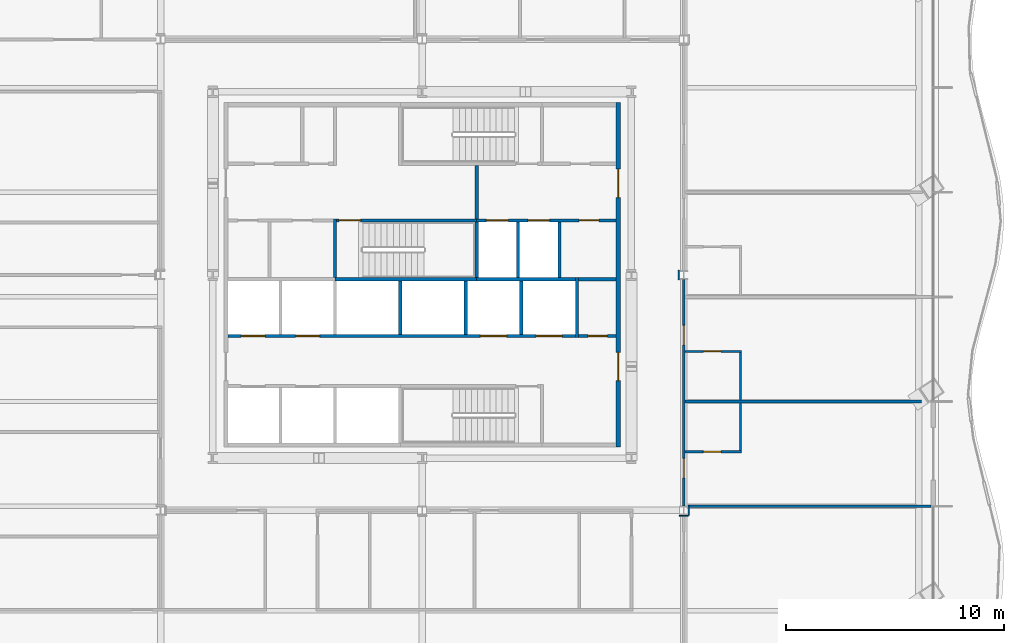
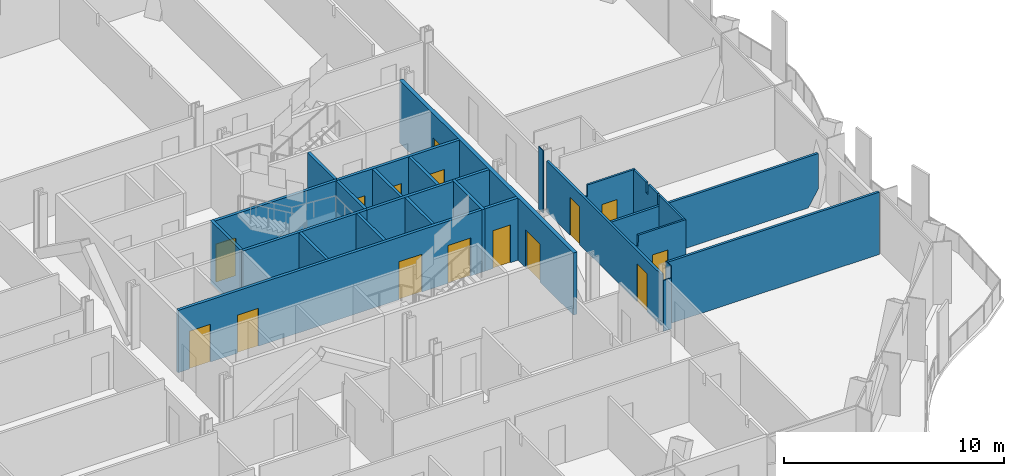
# One storey, part 9 of 19: 27 walls, 15 doors, 15 openings.
"""IFC4 building model written with IfcOpenShell, lengths in metres."""

from ifc_helpers import new_model, si_unit, direction, frame, frame_2d, origin, place, context, subcontext, project, spatial, polyline, rectangle, outline, extrude, material, layer, layer_set, type_object, element, fill, save


model = new_model("IFC4")

# Units and contexts
model_context = context("Model", 3, precision=1e-05, world=origin(), true_north=direction((0.0, 1.0)))
body_context = subcontext(model_context, "Body", "Model", "MODEL_VIEW")
ifc_project = project(units=[si_unit("LENGTHUNIT", "METRE"), si_unit("AREAUNIT", "SQUARE_METRE"), si_unit("VOLUMEUNIT", "CUBIC_METRE"), si_unit("PLANEANGLEUNIT", "RADIAN"), si_unit("MASSUNIT", "GRAM", prefix="KILO")], contexts=[model_context])

# Site, building, storey
site_placement = place(None, origin())
site = spatial("IfcSite", under=ifc_project, at=site_placement, CompositionType="ELEMENT")
building_placement = place(site_placement, origin())
building = spatial("IfcBuilding", under=site, at=building_placement, Name="Cairn Pilgrim Tower", CompositionType="ELEMENT")
storey_placement = place(building_placement, frame((0.0, 0.0, 97.800048828125)))
storey = spatial("IfcBuildingStorey", under=building, at=storey_placement, Name="L23", CompositionType="ELEMENT", Elevation=97.800048828125)

# Wall, openings, doors
ifc_material_1 = material(Name="Concrete C32/40", Category="concrete")
ifc_layer_1 = layer(ifc_material_1, 0.199951171875)
ifc_layer_set_1 = layer_set([ifc_layer_1], Name="CORE OUTER WALL 200 EI 120")
wall_type_1 = type_object("IfcWallType", Name="CORE OUTER WALL 200 EI 120", PredefinedType="SOLIDWALL", material=ifc_layer_set_1)
wall_1_placement = place(storey_placement, frame((16.199951171875, -5.5, 0.0), z_axis=(0.0, 0.0, 1.0), x_axis=(0.0, 1.0, 0.0)))
wall_1 = element("IfcWall", 1, at=wall_1_placement, inside=storey, type_object=wall_type_1, Name="CW:L23:V33", PredefinedType="SOLIDWALL", context=body_context, shape_type="SweptSolid", body=[
    extrude(rectangle(XDim=15.800048828125, YDim=0.199951171875, at=frame_2d((7.89990234375, 0.0))), origin(), (0.0, 0.0, 1.0), 3.449951171875),
])
opening_1_placement = place(wall_1_placement, frame((3.050048828125, 0.0, 0.0)))
opening_1 = element("IfcOpeningElement", 2, at=opening_1_placement, cuts=wall_1, Name="Opening CD-E1", PredefinedType="OPENING", context=body_context, shape_type="SweptSolid", body=[
    extrude(rectangle(XDim=1.300048828125, YDim=2.10009765625, at=frame_2d((0.64990234375, 1.050048828125))), frame((0.0, 0.10986328125, 0.0), z_axis=(0.0, -1.0, 0.0), x_axis=(1.0, 0.0, 0.0)), (0.0, 0.0, 1.0), 0.219970703125),
])
opening_2_placement = place(wall_1_placement, frame((11.449951171875, 0.0, 0.0)))
opening_2 = element("IfcOpeningElement", 3, at=opening_2_placement, cuts=wall_1, Name="Opening CD-E2", PredefinedType="OPENING", context=body_context, shape_type="SweptSolid", body=[
    extrude(rectangle(XDim=1.300048828125, YDim=2.10009765625, at=frame_2d((0.64990234375, 1.050048828125))), frame((0.0, 0.10986328125, 0.0), z_axis=(0.0, -1.0, 0.0), x_axis=(1.0, 0.0, 0.0)), (0.0, 0.0, 1.0), 0.219970703125),
])
ifc_material_2 = material(Name="Painted steel", Category="steel")
door_type_1 = type_object("IfcDoorType", Name="CORE LOBBY DOOR 1300x2100", OperationType="DOUBLE_DOOR_SINGLE_SWING", PredefinedType="DOOR", material=ifc_material_2)
door_1_placement = place(opening_1_placement, origin())
door_1 = element("IfcDoor", 4, at=door_1_placement, inside=storey, type_object=door_type_1, Name="CD-E1", OperationType="DOUBLE_DOOR_SINGLE_SWING", OverallHeight=2.10009765625, OverallWidth=1.300048828125, PredefinedType="DOOR", context=body_context, shape_type="SweptSolid", body=[
    extrude(rectangle(XDim=1.300048828125, YDim=2.10009765625, at=frame_2d((0.64990234375, 1.050048828125))), frame((0.0, 0.02490234375, 0.0), z_axis=(0.0, -1.0, 0.0), x_axis=(1.0, 0.0, 0.0)), (0.0, 0.0, 1.0), 0.050048828125),
])
fill(opening_1, door_1)
door_2_placement = place(opening_2_placement, origin())
door_2 = element("IfcDoor", 5, at=door_2_placement, inside=storey, type_object=door_type_1, Name="CD-E2", OperationType="DOUBLE_DOOR_SINGLE_SWING", OverallHeight=2.10009765625, OverallWidth=1.300048828125, PredefinedType="DOOR", context=body_context, shape_type="SweptSolid", body=[
    extrude(rectangle(XDim=1.300048828125, YDim=2.10009765625, at=frame_2d((0.64990234375, 1.050048828125))), frame((0.0, 0.02490234375, 0.0), z_axis=(0.0, -1.0, 0.0), x_axis=(1.0, 0.0, 0.0)), (0.0, 0.0, 1.0), 0.050048828125),
])
fill(opening_2, door_2)

# Wall, opening, door
ifc_layer_2 = layer(ifc_material_1, 0.14990234375)
ifc_layer_set_2 = layer_set([ifc_layer_2], Name="CORE PARTITION 150 EI 60")
wall_type_2 = type_object("IfcWallType", Name="CORE PARTITION 150 EI 60", PredefinedType="PARTITIONING", material=ifc_layer_set_2)
wall_2_placement = place(storey_placement, frame((14.375, -0.39990234375, 0.0), z_axis=(0.0, 0.0, 1.0), x_axis=(1.0, 0.0, 0.0)))
wall_2 = element("IfcWall", 6, at=wall_2_placement, inside=storey, type_object=wall_type_2, Name="CW:L23:H04", PredefinedType="PARTITIONING", context=body_context, shape_type="SweptSolid", body=[
    extrude(rectangle(XDim=1.72509765625, YDim=0.14990234375, at=frame_2d((0.862548828125, 0.0))), origin(), (0.0, 0.0, 1.0), 3.449951171875),
])
opening_3_placement = place(wall_2_placement, frame((0.425048828125, 0.0, 0.0)))
opening_3 = element("IfcOpeningElement", 7, at=opening_3_placement, cuts=wall_2, Name="Opening RD-R2E", PredefinedType="OPENING", context=body_context, shape_type="SweptSolid", body=[
    extrude(rectangle(XDim=0.89990234375, YDim=2.10009765625, at=frame_2d((0.449951171875, 1.050048828125))), frame((0.0, 0.0849609375, 0.0), z_axis=(0.0, -1.0, 0.0), x_axis=(1.0, 0.0, 0.0)), (0.0, 0.0, 1.0), 0.169921875),
])
door_type_2 = type_object("IfcDoorType", Name="SERVICE ROOM DOOR 900x2100", OperationType="SINGLE_SWING_LEFT", PredefinedType="DOOR", material=ifc_material_2)
door_3_placement = place(opening_3_placement, origin())
door_3 = element("IfcDoor", 8, at=door_3_placement, inside=storey, type_object=door_type_2, Name="RD-R2E", OperationType="SINGLE_SWING_RIGHT", OverallHeight=2.10009765625, OverallWidth=0.89990234375, PredefinedType="DOOR", context=body_context, shape_type="SweptSolid", body=[
    extrude(rectangle(XDim=0.89990234375, YDim=2.10009765625, at=frame_2d((0.449951171875, 1.050048828125))), frame((0.0, 0.02490234375, 0.0), z_axis=(0.0, -1.0, 0.0), x_axis=(1.0, 0.0, 0.0)), (0.0, 0.0, 1.0), 0.050048828125),
])
fill(opening_3, door_3)

# Wall
wall_3_placement = place(storey_placement, frame((14.375, 2.199951171875, 0.0), z_axis=(0.0, 0.0, 1.0), x_axis=(1.0, 0.0, 0.0)))
element("IfcWall", 9, at=wall_3_placement, inside=storey, type_object=wall_type_2, Name="CW:L23:H06", PredefinedType="PARTITIONING", context=body_context, shape_type="SweptSolid", body=[
    extrude(rectangle(XDim=1.72509765625, YDim=0.14990234375, at=frame_2d((0.862548828125, 0.0))), origin(), (0.0, 0.0, 1.0), 3.449951171875),
])

# Wall, openings, doors
ifc_layer_3 = layer(ifc_material_1, 0.14990234375)
ifc_layer_set_3 = layer_set([ifc_layer_3], Name="CORE SHAFT WALL 150 EI 120")
wall_type_3 = type_object("IfcWallType", Name="CORE SHAFT WALL 150 EI 120", PredefinedType="SOLIDWALL", material=ifc_layer_set_3)
wall_4_placement = place(storey_placement, frame((-1.699951171875, -0.39990234375, 0.0), z_axis=(0.0, 0.0, 1.0), x_axis=(1.0, 0.0, 0.0)))
wall_4 = element("IfcWall", 10, at=wall_4_placement, inside=storey, type_object=wall_type_3, Name="CW:L23:H03", PredefinedType="SOLIDWALL", context=body_context, shape_type="SweptSolid", body=[
    extrude(rectangle(XDim=15.925048828125, YDim=0.14990234375, at=frame_2d((7.96240234375, 0.0))), origin(), (0.0, 0.0, 1.0), 3.449951171875),
])
opening_4_placement = place(wall_4_placement, frame((0.60009765625, 0.0, 0.0)))
opening_4 = element("IfcOpeningElement", 11, at=opening_4_placement, cuts=wall_4, Name="Opening LD-LR3", PredefinedType="OPENING", context=body_context, shape_type="SweptSolid", body=[
    extrude(rectangle(XDim=1.10009765625, YDim=2.10009765625, at=frame_2d((0.550048828125, 1.050048828125))), frame((0.0, 0.0849609375, 0.0), z_axis=(0.0, -1.0, 0.0), x_axis=(1.0, 0.0, 0.0)), (0.0, 0.0, 1.0), 0.169921875),
])
opening_5_placement = place(wall_4_placement, frame((3.10009765625, 0.0, 0.0)))
opening_5 = element("IfcOpeningElement", 12, at=opening_5_placement, cuts=wall_4, Name="Opening LD-LR4", PredefinedType="OPENING", context=body_context, shape_type="SweptSolid", body=[
    extrude(rectangle(XDim=1.10009765625, YDim=2.10009765625, at=frame_2d((0.550048828125, 1.050048828125))), frame((0.0, 0.0849609375, 0.0), z_axis=(0.0, -1.0, 0.0), x_axis=(1.0, 0.0, 0.0)), (0.0, 0.0, 1.0), 0.169921875),
])
opening_6_placement = place(wall_4_placement, frame((11.574951171875, 0.0, 0.0)))
opening_6 = element("IfcOpeningElement", 13, at=opening_6_placement, cuts=wall_4, Name="Opening LD-SV1", PredefinedType="OPENING", context=body_context, shape_type="SweptSolid", body=[
    extrude(rectangle(XDim=1.199951171875, YDim=2.10009765625, at=frame_2d((0.60009765625, 1.050048828125))), frame((0.0, 0.0849609375, 0.0), z_axis=(0.0, -1.0, 0.0), x_axis=(1.0, 0.0, 0.0)), (0.0, 0.0, 1.0), 0.169921875),
])
opening_7_placement = place(wall_4_placement, frame((14.125, 0.0, 0.0)))
opening_7 = element("IfcOpeningElement", 14, at=opening_7_placement, cuts=wall_4, Name="Opening LD-SV2", PredefinedType="OPENING", context=body_context, shape_type="SweptSolid", body=[
    extrude(rectangle(XDim=1.199951171875, YDim=2.10009765625, at=frame_2d((0.60009765625, 1.050048828125))), frame((0.0, 0.0849609375, 0.0), z_axis=(0.0, -1.0, 0.0), x_axis=(1.0, 0.0, 0.0)), (0.0, 0.0, 1.0), 0.169921875),
])
ifc_material_3 = material(Name="Stainless steel", Category="steel")
door_type_3 = type_object("IfcDoorType", Name="LIFT LANDING DOOR 1100x2100", OperationType="DOUBLE_DOOR_SLIDING", PredefinedType="DOOR", material=ifc_material_3)
door_4_placement = place(opening_4_placement, origin())
door_4 = element("IfcDoor", 15, at=door_4_placement, inside=storey, type_object=door_type_3, Name="LANDING DOOR LR3", OperationType="DOUBLE_DOOR_SLIDING", OverallHeight=2.10009765625, OverallWidth=1.10009765625, PredefinedType="DOOR", context=body_context, shape_type="SweptSolid", body=[
    extrude(rectangle(XDim=1.10009765625, YDim=2.10009765625, at=frame_2d((0.550048828125, 1.050048828125))), frame((0.0, 0.02490234375, 0.0), z_axis=(0.0, -1.0, 0.0), x_axis=(1.0, 0.0, 0.0)), (0.0, 0.0, 1.0), 0.050048828125),
])
fill(opening_4, door_4)
door_5_placement = place(opening_5_placement, origin())
door_5 = element("IfcDoor", 16, at=door_5_placement, inside=storey, type_object=door_type_3, Name="LANDING DOOR LR4", OperationType="DOUBLE_DOOR_SLIDING", OverallHeight=2.10009765625, OverallWidth=1.10009765625, PredefinedType="DOOR", context=body_context, shape_type="SweptSolid", body=[
    extrude(rectangle(XDim=1.10009765625, YDim=2.10009765625, at=frame_2d((0.550048828125, 1.050048828125))), frame((0.0, 0.02490234375, 0.0), z_axis=(0.0, -1.0, 0.0), x_axis=(1.0, 0.0, 0.0)), (0.0, 0.0, 1.0), 0.050048828125),
])
fill(opening_5, door_5)
door_type_4 = type_object("IfcDoorType", Name="LIFT LANDING DOOR 1200x2100", OperationType="DOUBLE_DOOR_SLIDING", PredefinedType="DOOR", material=ifc_material_3)
door_6_placement = place(opening_6_placement, origin())
door_6 = element("IfcDoor", 17, at=door_6_placement, inside=storey, type_object=door_type_4, Name="LANDING DOOR SV1", OperationType="DOUBLE_DOOR_SLIDING", OverallHeight=2.10009765625, OverallWidth=1.199951171875, PredefinedType="DOOR", context=body_context, shape_type="SweptSolid", body=[
    extrude(rectangle(XDim=1.199951171875, YDim=2.10009765625, at=frame_2d((0.60009765625, 1.050048828125))), frame((0.0, 0.02490234375, 0.0), z_axis=(0.0, -1.0, 0.0), x_axis=(1.0, 0.0, 0.0)), (0.0, 0.0, 1.0), 0.050048828125),
])
fill(opening_6, door_6)
door_7_placement = place(opening_7_placement, origin())
door_7 = element("IfcDoor", 18, at=door_7_placement, inside=storey, type_object=door_type_4, Name="LANDING DOOR SV2", OperationType="DOUBLE_DOOR_SLIDING", OverallHeight=2.10009765625, OverallWidth=1.199951171875, PredefinedType="DOOR", context=body_context, shape_type="SweptSolid", body=[
    extrude(rectangle(XDim=1.199951171875, YDim=2.10009765625, at=frame_2d((0.60009765625, 1.050048828125))), frame((0.0, 0.02490234375, 0.0), z_axis=(0.0, -1.0, 0.0), x_axis=(1.0, 0.0, 0.0)), (0.0, 0.0, 1.0), 0.050048828125),
])
fill(opening_7, door_7)

# Wall
wall_5_placement = place(storey_placement, frame((9.699951171875, 2.199951171875, 0.0), z_axis=(0.0, 0.0, 1.0), x_axis=(1.0, 0.0, 0.0)))
element("IfcWall", 19, at=wall_5_placement, inside=storey, type_object=wall_type_3, Name="CW:L23:H05-3", PredefinedType="SOLIDWALL", context=body_context, shape_type="SweptSolid", body=[
    extrude(rectangle(XDim=4.525146484375, YDim=0.14990234375, at=frame_2d((2.2626953125, 0.0))), origin(), (0.0, 0.0, 1.0), 3.449951171875),
])

# Wall, openings, doors
wall_6_placement = place(storey_placement, frame((9.699951171875, 4.89990234375, 0.0), z_axis=(0.0, 0.0, 1.0), x_axis=(1.0, 0.0, 0.0)))
wall_6 = element("IfcWall", 20, at=wall_6_placement, inside=storey, type_object=wall_type_3, Name="CW:L23:H08-2", PredefinedType="SOLIDWALL", context=body_context, shape_type="SweptSolid", body=[
    extrude(rectangle(XDim=6.400146484375, YDim=0.14990234375, at=frame_2d((3.2001953125, 0.0))), origin(), (0.0, 0.0, 1.0), 3.449951171875),
])
opening_8_placement = place(wall_6_placement, frame((0.449951171875, 0.0, 0.0)))
opening_8 = element("IfcOpeningElement", 21, at=opening_8_placement, cuts=wall_6, Name="Opening LD-FF1", PredefinedType="OPENING", context=body_context, shape_type="SweptSolid", body=[
    extrude(rectangle(XDim=1.0, YDim=2.10009765625, at=frame_2d((0.5, 1.050048828125))), frame((0.0, 0.0849609375, 0.0), z_axis=(0.0, -1.0, 0.0), x_axis=(1.0, 0.0, 0.0)), (0.0, 0.0, 1.0), 0.169921875),
])
opening_9_placement = place(wall_6_placement, frame((2.35009765625, 0.0, 0.0)))
opening_9 = element("IfcOpeningElement", 22, at=opening_9_placement, cuts=wall_6, Name="Opening LD-FF2", PredefinedType="OPENING", context=body_context, shape_type="SweptSolid", body=[
    extrude(rectangle(XDim=1.0, YDim=2.10009765625, at=frame_2d((0.5, 1.050048828125))), frame((0.0, 0.0849609375, 0.0), z_axis=(0.0, -1.0, 0.0), x_axis=(1.0, 0.0, 0.0)), (0.0, 0.0, 1.0), 0.169921875),
])
opening_10_placement = place(wall_6_placement, frame((4.699951171875, 0.0, 0.0)))
opening_10 = element("IfcOpeningElement", 23, at=opening_10_placement, cuts=wall_6, Name="Opening RD-R3E", PredefinedType="OPENING", context=body_context, shape_type="SweptSolid", body=[
    extrude(rectangle(XDim=0.89990234375, YDim=2.10009765625, at=frame_2d((0.449951171875, 1.050048828125))), frame((0.0, 0.0849609375, 0.0), z_axis=(0.0, -1.0, 0.0), x_axis=(1.0, 0.0, 0.0)), (0.0, 0.0, 1.0), 0.169921875),
])
door_type_5 = type_object("IfcDoorType", Name="LIFT LANDING DOOR FIRE 1000x2100", OperationType="DOUBLE_DOOR_SLIDING", PredefinedType="DOOR", material=ifc_material_3)
door_8_placement = place(opening_8_placement, origin())
door_8 = element("IfcDoor", 24, at=door_8_placement, inside=storey, type_object=door_type_5, Name="LANDING DOOR FF1", OperationType="DOUBLE_DOOR_SLIDING", OverallHeight=2.10009765625, OverallWidth=1.0, PredefinedType="DOOR", context=body_context, shape_type="SweptSolid", body=[
    extrude(rectangle(XDim=1.0, YDim=2.10009765625, at=frame_2d((0.5, 1.050048828125))), frame((0.0, 0.02490234375, 0.0), z_axis=(0.0, -1.0, 0.0), x_axis=(1.0, 0.0, 0.0)), (0.0, 0.0, 1.0), 0.050048828125),
])
fill(opening_8, door_8)
door_9_placement = place(opening_9_placement, origin())
door_9 = element("IfcDoor", 25, at=door_9_placement, inside=storey, type_object=door_type_5, Name="LANDING DOOR FF2", OperationType="DOUBLE_DOOR_SLIDING", OverallHeight=2.10009765625, OverallWidth=1.0, PredefinedType="DOOR", context=body_context, shape_type="SweptSolid", body=[
    extrude(rectangle(XDim=1.0, YDim=2.10009765625, at=frame_2d((0.5, 1.050048828125))), frame((0.0, 0.02490234375, 0.0), z_axis=(0.0, -1.0, 0.0), x_axis=(1.0, 0.0, 0.0)), (0.0, 0.0, 1.0), 0.050048828125),
])
fill(opening_9, door_9)
door_10_placement = place(opening_10_placement, origin())
door_10 = element("IfcDoor", 26, at=door_10_placement, inside=storey, type_object=door_type_2, Name="RD-R3E", OperationType="SINGLE_SWING_LEFT", OverallHeight=2.10009765625, OverallWidth=0.89990234375, PredefinedType="DOOR", context=body_context, shape_type="SweptSolid", body=[
    extrude(rectangle(XDim=0.89990234375, YDim=2.10009765625, at=frame_2d((0.449951171875, 1.050048828125))), frame((0.0, 0.02490234375, 0.0), z_axis=(0.0, -1.0, 0.0), x_axis=(1.0, 0.0, 0.0)), (0.0, 0.0, 1.0), 0.050048828125),
])
fill(opening_10, door_10)

# Walls
for number, where, z_axis, x_axis, name in (
    (27, (6.199951171875, -0.324951171875, 0.0), (0.0, 0.0, 1.0), (0.0, 1.0, 0.0), "CW:L23:V22"),
    (28, (9.199951171875, -0.324951171875, 0.0), (0.0, 0.0, 1.0), (0.0, 1.0, 0.0), "CW:L23:V24"),
    (29, (9.699951171875, 4.97509765625, 0.0), (0.0, 0.0, 1.0), (0.0, 1.0, 0.0), "CW:L23:V26"),
):
    element("IfcWall", number, at=place(storey_placement, frame(where, z_axis=z_axis, x_axis=x_axis)), inside=storey, type_object=wall_type_3, Name=name, PredefinedType="SOLIDWALL", context=body_context, shape_type="SweptSolid", body=[
        extrude(rectangle(XDim=2.449951171875, YDim=0.14990234375, at=frame_2d((1.22509765625, 0.0))), origin(), (0.0, 0.0, 1.0), 3.449951171875),
    ])
wall_7_placement = place(storey_placement, frame((11.60009765625, 2.27490234375, 0.0), z_axis=(0.0, 0.0, 1.0), x_axis=(0.0, 1.0, 0.0)))
element("IfcWall", 30, at=wall_7_placement, inside=storey, type_object=wall_type_3, Name="CW:L23:V27", PredefinedType="SOLIDWALL", context=body_context, shape_type="SweptSolid", body=[
    extrude(rectangle(XDim=2.550048828125, YDim=0.14990234375, at=frame_2d((1.27490234375, 0.0))), origin(), (0.0, 0.0, 1.0), 3.449951171875),
])
wall_8_placement = place(storey_placement, frame((11.75, -0.324951171875, 0.0), z_axis=(0.0, 0.0, 1.0), x_axis=(0.0, 1.0, 0.0)))
element("IfcWall", 31, at=wall_8_placement, inside=storey, type_object=wall_type_3, Name="CW:L23:V28", PredefinedType="SOLIDWALL", context=body_context, shape_type="SweptSolid", body=[
    extrude(rectangle(XDim=2.449951171875, YDim=0.14990234375, at=frame_2d((1.22509765625, 0.0))), origin(), (0.0, 0.0, 1.0), 3.449951171875),
])
wall_9_placement = place(storey_placement, frame((13.5, 2.27490234375, 0.0), z_axis=(0.0, 0.0, 1.0), x_axis=(0.0, 1.0, 0.0)))
element("IfcWall", 32, at=wall_9_placement, inside=storey, type_object=wall_type_3, Name="CW:L23:V31", PredefinedType="SOLIDWALL", context=body_context, shape_type="SweptSolid", body=[
    extrude(rectangle(XDim=2.550048828125, YDim=0.14990234375, at=frame_2d((1.27490234375, 0.0))), origin(), (0.0, 0.0, 1.0), 3.449951171875),
])
wall_10_placement = place(storey_placement, frame((14.300048828125, -0.47509765625, 0.0), z_axis=(0.0, 0.0, 1.0), x_axis=(0.0, 1.0, 0.0)))
element("IfcWall", 33, at=wall_10_placement, inside=storey, type_object=wall_type_3, Name="CW:L23:V32", PredefinedType="SOLIDWALL", context=body_context, shape_type="SweptSolid", body=[
    extrude(rectangle(XDim=2.75, YDim=0.14990234375, at=frame_2d((1.375, 0.0))), origin(), (0.0, 0.0, 1.0), 3.449951171875),
])

# Wall, opening, door
ifc_material_4 = material(Name="Gypsum partition")
ifc_layer_4 = layer(ifc_material_4, 0.10009765625)
ifc_layer_set_4 = layer_set([ifc_layer_4], Name="PARTITION 100 DRYWALL")
wall_type_4 = type_object("IfcWallType", Name="PARTITION 100 DRYWALL", PredefinedType="PARTITIONING", material=ifc_layer_set_4)
wall_11_placement = place(storey_placement, frame((19.262451171875, -5.708984375, 0.0), z_axis=(0.0, 0.0, 1.0), x_axis=(1.0, 0.0, 0.0)))
wall_11 = element("IfcWall", 34, at=wall_11_placement, inside=storey, type_object=wall_type_4, Name="PARTITION W041", PredefinedType="PARTITIONING", context=body_context, shape_type="SweptSolid", body=[
    extrude(outline(polyline([(0.0, 0.0), (2.587646484375, 0.0), (2.58740234375, 3.449951171875), (0.08740234375, 3.449951171875), (0.08544921875, 2.829833984375), (0.0, 2.829833984375), (0.0, 0.0)])), frame((0.0, 0.050048828125, 0.0), z_axis=(0.0, -1.0, 0.0), x_axis=(1.0, 0.0, 0.0)), (0.0, 0.0, 1.0), 0.10009765625),
])
opening_11_placement = place(wall_11_placement, frame((0.83740234375, 0.0, 0.0)))
opening_11 = element("IfcOpeningElement", 35, at=opening_11_placement, cuts=wall_11, Name="Opening 2324E", PredefinedType="OPENING", context=body_context, shape_type="SweptSolid", body=[
    extrude(rectangle(XDim=0.800048828125, YDim=2.10009765625, at=frame_2d((0.39990234375, 1.050048828125))), frame((0.0, 0.06005859375, 0.0), z_axis=(0.0, -1.0, 0.0), x_axis=(1.0, 0.0, 0.0)), (0.0, 0.0, 1.0), 0.1201171875),
])
ifc_material_5 = material(Name="Timber door leaf", Category="wood")
door_type_6 = type_object("IfcDoorType", Name="DOOR 800x2100", OperationType="NOTDEFINED", PredefinedType="DOOR", material=ifc_material_5)
door_11_placement = place(opening_11_placement, origin())
door_11 = element("IfcDoor", 36, at=door_11_placement, inside=storey, type_object=door_type_6, Name="DOOR 2324E", OperationType="SINGLE_SWING_LEFT", OverallHeight=2.10009765625, OverallWidth=0.800048828125, PredefinedType="DOOR", context=body_context, shape_type="SweptSolid", body=[
    extrude(rectangle(XDim=0.800048828125, YDim=2.10009765625, at=frame_2d((0.39990234375, 1.050048828125))), frame((0.0, 0.02490234375, 0.0), z_axis=(0.0, -1.0, 0.0), x_axis=(1.0, 0.0, 0.0)), (0.0, 0.0, 1.0), 0.050048828125),
])
fill(opening_11, door_11)

# Walls
wall_12_placement = place(storey_placement, frame((21.800048828125, -5.658935546875, 0.0), z_axis=(0.0, 0.0, 1.0), x_axis=(0.0, 1.0, 0.0)))
element("IfcWall", 37, at=wall_12_placement, inside=storey, type_object=wall_type_4, Name="PARTITION W042", PredefinedType="PARTITIONING", context=body_context, shape_type="SweptSolid", body=[
    extrude(rectangle(XDim=2.1875, YDim=0.10009765625, at=frame_2d((1.09375, 0.0))), origin(), (0.0, 0.0, 1.0), 3.449951171875),
])
wall_13_placement = place(storey_placement, frame((21.800048828125, -3.346435546875, 0.0), z_axis=(0.0, 0.0, 1.0), x_axis=(0.0, 1.0, 0.0)))
element("IfcWall", 38, at=wall_13_placement, inside=storey, type_object=wall_type_4, Name="PARTITION W045", PredefinedType="PARTITIONING", context=body_context, shape_type="SweptSolid", body=[
    extrude(outline(polyline([(0.0, 0.0), (2.1875, 0.0), (2.1875, 3.449951171875), (1.051513671875, 3.449951171875), (1.049560546875, 2.8798828125), (0.841552734375, 2.8798828125), (0.839599609375, 3.449951171875), (0.0, 3.449951171875), (0.0, 0.0)])), frame((0.0, 0.050048828125, 0.0), z_axis=(0.0, -1.0, 0.0), x_axis=(1.0, 0.0, 0.0)), (0.0, 0.0, 1.0), 0.10009765625),
])

# Wall, opening, door
wall_14_placement = place(storey_placement, frame((19.262451171875, -1.10888671875, 0.0), z_axis=(0.0, 0.0, 1.0), x_axis=(1.0, 0.0, 0.0)))
wall_14 = element("IfcWall", 39, at=wall_14_placement, inside=storey, type_object=wall_type_4, Name="PARTITION W048", PredefinedType="PARTITIONING", context=body_context, shape_type="SweptSolid", body=[
    extrude(outline(polyline([(0.0, 0.0), (2.587646484375, 0.0), (2.58740234375, 3.449951171875), (0.08740234375, 3.449951171875), (0.08544921875, 2.829833984375), (0.0, 2.829833984375), (0.0, 0.0)])), frame((0.0, 0.050048828125, 0.0), z_axis=(0.0, -1.0, 0.0), x_axis=(1.0, 0.0, 0.0)), (0.0, 0.0, 1.0), 0.10009765625),
])
opening_12_placement = place(wall_14_placement, frame((0.83740234375, 0.0, 0.0)))
opening_12 = element("IfcOpeningElement", 40, at=opening_12_placement, cuts=wall_14, Name="Opening 2325E", PredefinedType="OPENING", context=body_context, shape_type="SweptSolid", body=[
    extrude(rectangle(XDim=0.800048828125, YDim=2.10009765625, at=frame_2d((0.39990234375, 1.050048828125))), frame((0.0, 0.06005859375, 0.0), z_axis=(0.0, -1.0, 0.0), x_axis=(1.0, 0.0, 0.0)), (0.0, 0.0, 1.0), 0.1201171875),
])
door_12_placement = place(opening_12_placement, frame((0.800048828125, 0.0, 0.0), z_axis=(0.0, 0.0, 1.0), x_axis=(-1.0, 0.0, 0.0)))
door_12 = element("IfcDoor", 41, at=door_12_placement, inside=storey, type_object=door_type_6, Name="DOOR 2325E", OperationType="SINGLE_SWING_LEFT", OverallHeight=2.10009765625, OverallWidth=0.800048828125, PredefinedType="DOOR", context=body_context, shape_type="SweptSolid", body=[
    extrude(rectangle(XDim=0.800048828125, YDim=2.10009765625, at=frame_2d((0.39990234375, 1.050048828125))), frame((0.0, 0.02490234375, 0.0), z_axis=(0.0, -1.0, 0.0), x_axis=(1.0, 0.0, 0.0)), (0.0, 0.0, 1.0), 0.050048828125),
])
fill(opening_12, door_12)

# Wall, openings, doors
ifc_layer_5 = layer(ifc_material_4, 0.125)
ifc_layer_set_5 = layer_set([ifc_layer_5], Name="PARTITION 125 DRYWALL EI 60")
wall_type_5 = type_object("IfcWallType", Name="PARTITION 125 DRYWALL EI 60", PredefinedType="PARTITIONING", material=ifc_layer_set_5)
wall_15_placement = place(storey_placement, frame((19.199951171875, -8.1875, 0.0), z_axis=(0.0, 0.0, 1.0), x_axis=(0.0, 1.0, 0.0)))
wall_15 = element("IfcWall", 42, at=wall_15_placement, inside=storey, type_object=wall_type_5, Name="PARTITION W039", PredefinedType="PARTITIONING", context=body_context, shape_type="SweptSolid", body=[
    extrude(rectangle(XDim=10.375, YDim=0.125, at=frame_2d((5.1875, 0.0))), origin(), (0.0, 0.0, 1.0), 2.829833984375),
])
opening_13_placement = place(wall_15_placement, frame((1.278564453125, 0.0, 0.0)))
opening_13 = element("IfcOpeningElement", 43, at=opening_13_placement, cuts=wall_15, Name="Opening 2324", PredefinedType="OPENING", context=body_context, shape_type="SweptSolid", body=[
    extrude(rectangle(XDim=0.89990234375, YDim=2.10009765625, at=frame_2d((0.449951171875, 1.050048828125))), frame((0.0, 0.072509765625, 0.0), z_axis=(0.0, -1.0, 0.0), x_axis=(1.0, 0.0, 0.0)), (0.0, 0.0, 1.0), 0.14501953125),
])
opening_14_placement = place(wall_15_placement, frame((7.37841796875, 0.0, 0.0)))
opening_14 = element("IfcOpeningElement", 44, at=opening_14_placement, cuts=wall_15, Name="Opening 2325", PredefinedType="OPENING", context=body_context, shape_type="SweptSolid", body=[
    extrude(rectangle(XDim=0.89990234375, YDim=2.10009765625, at=frame_2d((0.449951171875, 1.050048828125))), frame((0.0, 0.072509765625, 0.0), z_axis=(0.0, -1.0, 0.0), x_axis=(1.0, 0.0, 0.0)), (0.0, 0.0, 1.0), 0.14501953125),
])
ifc_material_6 = material(Name="Steel-faced fire door leaf", Category="steel")
door_type_7 = type_object("IfcDoorType", Name="FIRE DOOR 900x2100 FD30S", OperationType="NOTDEFINED", PredefinedType="DOOR", material=ifc_material_6)
door_13_placement = place(opening_13_placement, frame((0.89990234375, 0.0, 0.0), z_axis=(0.0, 0.0, 1.0), x_axis=(-1.0, 0.0, 0.0)))
door_13 = element("IfcDoor", 45, at=door_13_placement, inside=storey, type_object=door_type_7, Name="DOOR 2324", OperationType="SINGLE_SWING_RIGHT", OverallHeight=2.10009765625, OverallWidth=0.89990234375, PredefinedType="DOOR", context=body_context, shape_type="SweptSolid", body=[
    extrude(rectangle(XDim=0.89990234375, YDim=2.10009765625, at=frame_2d((0.449951171875, 1.050048828125))), frame((0.0, 0.02490234375, 0.0), z_axis=(0.0, -1.0, 0.0), x_axis=(1.0, 0.0, 0.0)), (0.0, 0.0, 1.0), 0.050048828125),
])
fill(opening_13, door_13)
door_14_placement = place(opening_14_placement, frame((0.89990234375, 0.0, 0.0), z_axis=(0.0, 0.0, 1.0), x_axis=(-1.0, 0.0, 0.0)))
door_14 = element("IfcDoor", 46, at=door_14_placement, inside=storey, type_object=door_type_7, Name="DOOR 2325", OperationType="SINGLE_SWING_RIGHT", OverallHeight=2.10009765625, OverallWidth=0.89990234375, PredefinedType="DOOR", context=body_context, shape_type="SweptSolid", body=[
    extrude(rectangle(XDim=0.89990234375, YDim=2.10009765625, at=frame_2d((0.449951171875, 1.050048828125))), frame((0.0, 0.02490234375, 0.0), z_axis=(0.0, -1.0, 0.0), x_axis=(1.0, 0.0, 0.0)), (0.0, 0.0, 1.0), 0.050048828125),
])
fill(opening_14, door_14)

# Walls
wall_16_placement = place(storey_placement, frame((19.404541015625, -8.208984375, 0.0), z_axis=(0.0, 0.0, 1.0), x_axis=(1.0, 0.0, 0.0)))
element("IfcWall", 47, at=wall_16_placement, inside=storey, type_object=wall_type_5, Name="PARTITION W040", PredefinedType="PARTITIONING", context=body_context, shape_type="SweptSolid", body=[
    extrude(rectangle(XDim=11.132568359375, YDim=0.125, at=frame_2d((5.56640625, 0.0))), origin(), (0.0, 0.0, 1.0), 3.449951171875),
])
wall_17_placement = place(storey_placement, frame((19.262451171875, -3.408935546875, 0.0), z_axis=(0.0, 0.0, 1.0), x_axis=(1.0, 0.0, 0.0)))
element("IfcWall", 48, at=wall_17_placement, inside=storey, type_object=wall_type_5, Name="PARTITION W044", PredefinedType="PARTITIONING", context=body_context, shape_type="SweptSolid", body=[
    extrude(outline(polyline([(0.0, 0.0), (10.318603515625, 0.0), (10.842041015625, 0.862548828125), (10.842041015625, 1.724853515625), (10.842041015625, 2.58740234375), (10.842041015625, 2.829833984375), (0.0, 2.829833984375), (0.0, 2.58740234375), (0.0, 1.724853515625), (0.0, 0.862548828125), (0.0, 0.0)])), frame((0.0, 0.0625, 0.0), z_axis=(0.0, -1.0, 0.0), x_axis=(1.0, 0.0, 0.0)), (0.0, 0.0, 1.0), 0.125),
])
ifc_layer_6 = layer(ifc_material_4, 0.050048828125)
ifc_layer_set_6 = layer_set([ifc_layer_6], Name="PARTITION 50 DRYWALL EI 60")
wall_type_6 = type_object("IfcWallType", Name="PARTITION 50 DRYWALL EI 60", PredefinedType="PARTITIONING", material=ifc_layer_set_6)
for number, where, z_axis, x_axis, name in (
    (49, (19.429443359375, -8.612548828125, 0.0), (0.0, 0.0, 1.0), (0.0, 1.0, 0.0), "COLUMN CASING WC02"),
    (50, (18.970458984375, 2.1875, 0.0), (0.0, 0.0, 1.0), (0.0, 1.0, 0.0), "COLUMN CASING WC03"),
):
    element("IfcWall", number, at=place(storey_placement, frame(where, z_axis=z_axis, x_axis=x_axis)), inside=storey, type_object=wall_type_6, Name=name, PredefinedType="PARTITIONING", context=body_context, shape_type="SweptSolid", body=[
        extrude(rectangle(XDim=0.425048828125, YDim=0.050048828125, at=frame_2d((0.21240234375, 0.0))), origin(), (0.0, 0.0, 1.0), 3.449951171875),
    ])
wall_18_placement = place(storey_placement, frame((18.99560546875, -8.637451171875, 0.0), z_axis=(0.0, 0.0, 1.0), x_axis=(1.0, 0.0, 0.0)))
element("IfcWall", 51, at=wall_18_placement, inside=storey, type_object=wall_type_6, Name="COLUMN CASING WC11", PredefinedType="PARTITIONING", context=body_context, shape_type="SweptSolid", body=[
    extrude(rectangle(XDim=0.408935546875, YDim=0.050048828125, at=frame_2d((0.20458984375, 0.0))), origin(), (0.0, 0.0, 1.0), 2.829833984375),
])
ifc_material_7 = material(Name="Concrete C35/45", Category="concrete")
ifc_layer_7 = layer(ifc_material_7, 0.14990234375)
ifc_layer_set_7 = layer_set([ifc_layer_7], Name="STAIR SHAFT WALL 150 EI 120")
wall_type_7 = type_object("IfcWallType", Name="STAIR SHAFT WALL 150 EI 120", PredefinedType="SOLIDWALL", material=ifc_layer_set_7)
wall_19_placement = place(storey_placement, frame((3.199951171875, 2.199951171875, 0.0), z_axis=(0.0, 0.0, 1.0), x_axis=(1.0, 0.0, 0.0)))
element("IfcWall", 52, at=wall_19_placement, inside=storey, type_object=wall_type_7, Name="CW:L23:H05-2", PredefinedType="SOLIDWALL", context=body_context, shape_type="SweptSolid", body=[
    extrude(rectangle(XDim=6.5, YDim=0.14990234375, at=frame_2d((3.25, 0.0))), origin(), (0.0, 0.0, 1.0), 3.449951171875),
])

# Wall, opening, door
wall_20_placement = place(storey_placement, frame((3.27490234375, 4.89990234375, 0.0), z_axis=(0.0, 0.0, 1.0), x_axis=(1.0, 0.0, 0.0)))
wall_20 = element("IfcWall", 53, at=wall_20_placement, inside=storey, type_object=wall_type_7, Name="CW:L23:H08-1", PredefinedType="SOLIDWALL", context=body_context, shape_type="SweptSolid", body=[
    extrude(rectangle(XDim=6.425048828125, YDim=0.14990234375, at=frame_2d((3.21240234375, 0.0))), origin(), (0.0, 0.0, 1.0), 3.449951171875),
])
opening_15_placement = place(wall_20_placement, frame((0.10009765625, 0.0, 0.0)))
opening_15 = element("IfcOpeningElement", 54, at=opening_15_placement, cuts=wall_20, Name="Opening SD-B", PredefinedType="OPENING", context=body_context, shape_type="SweptSolid", body=[
    extrude(rectangle(XDim=1.0, YDim=2.10009765625, at=frame_2d((0.5, 1.050048828125))), frame((0.0, 0.0849609375, 0.0), z_axis=(0.0, -1.0, 0.0), x_axis=(1.0, 0.0, 0.0)), (0.0, 0.0, 1.0), 0.169921875),
])
door_type_8 = type_object("IfcDoorType", Name="STAIR DOOR FD60S 1000x2100", OperationType="SINGLE_SWING_LEFT", PredefinedType="DOOR", material=ifc_material_2)
door_15_placement = place(opening_15_placement, origin())
door_15 = element("IfcDoor", 55, at=door_15_placement, inside=storey, type_object=door_type_8, Name="SD-B", OperationType="SINGLE_SWING_RIGHT", OverallHeight=2.10009765625, OverallWidth=1.0, PredefinedType="DOOR", context=body_context, shape_type="SweptSolid", body=[
    extrude(rectangle(XDim=1.0, YDim=2.10009765625, at=frame_2d((0.5, 1.050048828125))), frame((0.0, 0.02490234375, 0.0), z_axis=(0.0, -1.0, 0.0), x_axis=(1.0, 0.0, 0.0)), (0.0, 0.0, 1.0), 0.050048828125),
])
fill(opening_15, door_15)

# Walls
wall_21_placement = place(storey_placement, frame((3.199951171875, 2.27490234375, 0.0), z_axis=(0.0, 0.0, 1.0), x_axis=(0.0, 1.0, 0.0)))
element("IfcWall", 56, at=wall_21_placement, inside=storey, type_object=wall_type_7, Name="CW:L23:V19", PredefinedType="SOLIDWALL", context=body_context, shape_type="SweptSolid", body=[
    extrude(rectangle(XDim=2.7001953125, YDim=0.14990234375, at=frame_2d((1.35009765625, 0.0))), origin(), (0.0, 0.0, 1.0), 3.449951171875),
])
wall_22_placement = place(storey_placement, frame((9.699951171875, 2.27490234375, 0.0), z_axis=(0.0, 0.0, 1.0), x_axis=(0.0, 1.0, 0.0)))
element("IfcWall", 57, at=wall_22_placement, inside=storey, type_object=wall_type_7, Name="CW:L23:V25", PredefinedType="SOLIDWALL", context=body_context, shape_type="SweptSolid", body=[
    extrude(rectangle(XDim=2.550048828125, YDim=0.14990234375, at=frame_2d((1.27490234375, 0.0))), origin(), (0.0, 0.0, 1.0), 3.449951171875),
])

save(model, "model.ifc")
